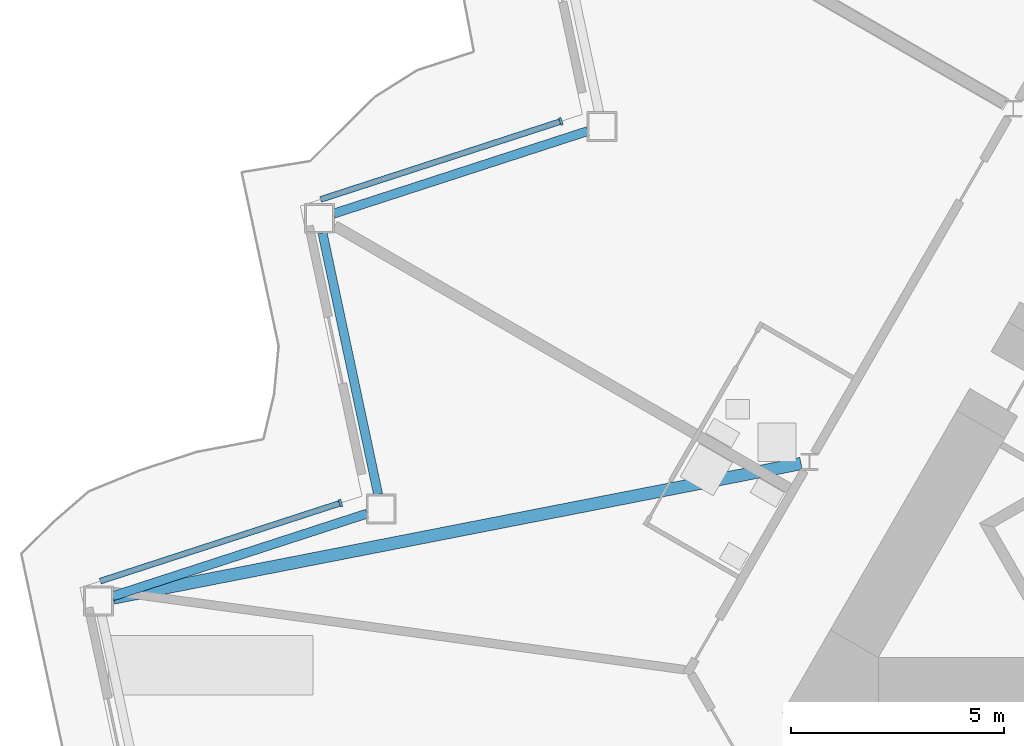
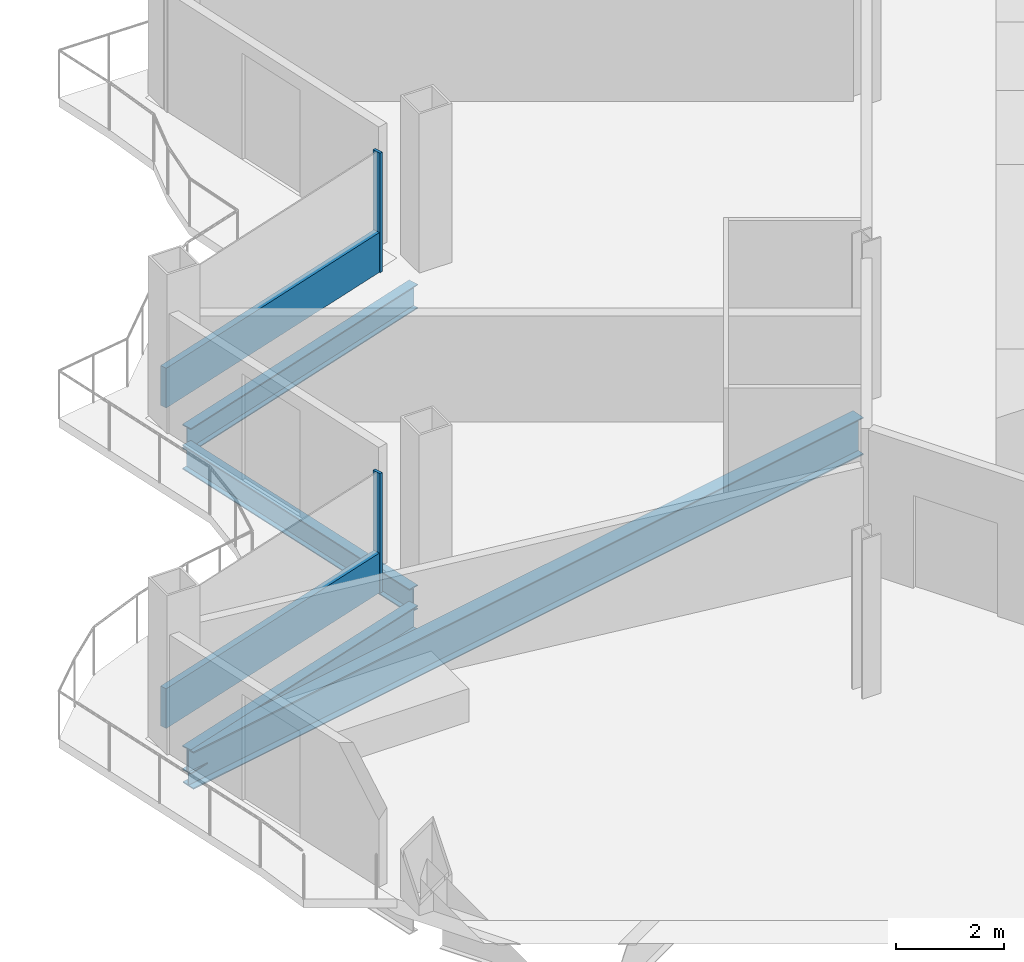
# One storey, part 5 of 23: 4 beams, 4 members, 2 elements without a shape of their own.
"""IFC4 building model written with IfcOpenShell, lengths in metres."""

from ifc_helpers import new_model, si_unit, direction, frame, origin, origin_2d, place, context, subcontext, project, spatial, rectangle, i_section, extrude, material, layer, layer_set, material_profile, profile_set, type_object, element, aggregate, save


model = new_model("IFC4")

# Units and contexts
model_context = context("Model", 3, precision=1e-05, world=origin(), true_north=direction((0.0, 1.0)))
body_context = subcontext(model_context, "Body", "Model", "MODEL_VIEW")
ifc_project = project(units=[si_unit("LENGTHUNIT", "METRE"), si_unit("AREAUNIT", "SQUARE_METRE"), si_unit("VOLUMEUNIT", "CUBIC_METRE"), si_unit("PLANEANGLEUNIT", "RADIAN"), si_unit("MASSUNIT", "GRAM", prefix="KILO")], contexts=[model_context])

# Site, building, storey
site_placement = place(None, origin())
site = spatial("IfcSite", under=ifc_project, at=site_placement, CompositionType="ELEMENT")
building_placement = place(site_placement, origin())
building = spatial("IfcBuilding", under=site, at=building_placement, Name="Cormorant Prow Tower", CompositionType="ELEMENT")
storey_placement = place(building_placement, frame((0.0, 0.0, 241.800048828125)))
storey = spatial("IfcBuildingStorey", under=building, at=storey_placement, Name="L53", CompositionType="ELEMENT", Elevation=241.800048828125)

# Curtain wall, member
ifc_material_1 = material(Name="Aluminium 6063-T6", Category="aluminium")
ifc_layer = layer(ifc_material_1, 0.179931640625)
ifc_layer_set = layer_set([ifc_layer], Name="Aluminium 6063-T6")
curtain_wall_type = type_object("IfcCurtainWallType", Name="Hotel unitised curtain wall 180", PredefinedType="NOTDEFINED", material=ifc_layer_set)
curtain_wall_1_placement = place(storey_placement, origin())
curtain_wall_1 = element("IfcCurtainWall", 1, at=curtain_wall_1_placement, inside=storey, type_object=curtain_wall_type, Name="Hotel curtain wall WNW06", PredefinedType="NOTDEFINED")
ifc_material_2 = material(Name="Aluminium 6063-T6", Category="aluminium")
ifc_material_profile_1 = material_profile(ifc_material_2, rectangle(XDim=0.179931640625, YDim=0.06005859375, at=origin_2d()), Name="Hotel mullion 60x180")
ifc_profile_set_1 = profile_set([ifc_material_profile_1], Name="Aluminium 6063-T6")
member_type_1 = type_object("IfcMemberType", Name="Hotel mullion 60x180", PredefinedType="MULLION", material=ifc_profile_set_1)
member_1_placement = place(storey_placement, frame((-20.203857421875, 5.232666015625, 0.0), z_axis=(0.0, 0.0, 1.0), x_axis=(0.309017031391, -0.951056504268, 0.0)))
member_1 = element("IfcMember", 2, at=member_1_placement, type_object=member_type_1, Name="Hotel mullion WNW06", PredefinedType="MULLION", context=body_context, shape_type="SweptSolid", body=[
    extrude(rectangle(XDim=0.179931640625, YDim=0.06005859375, at=origin_2d()), origin(), (0.0, 0.0, 1.0), 2.700927734375),
])

curtain_wall_2_placement = place(storey_placement, origin())
curtain_wall_2 = element("IfcCurtainWall", 3, at=curtain_wall_2_placement, inside=storey, type_object=curtain_wall_type, Name="Hotel curtain wall WNW08", PredefinedType="NOTDEFINED")
member_2_placement = place(storey_placement, frame((-25.379638671875, -3.73193359375, 0.0), z_axis=(0.0, 0.0, 1.0), x_axis=(0.30901690152, -0.951056546466, 0.0)))
member_2 = element("IfcMember", 4, at=member_2_placement, type_object=member_type_1, Name="Hotel mullion WNW08", PredefinedType="MULLION", context=body_context, shape_type="SweptSolid", body=[
    extrude(rectangle(XDim=0.179931640625, YDim=0.06005859375, at=origin_2d()), origin(), (0.0, 0.0, 1.0), 2.700927734375),
])

# Member
ifc_material_3 = material(Name="Terracotta", Category="masonry")
ifc_material_profile_2 = material_profile(ifc_material_3, rectangle(XDim=0.139892578125, YDim=0.89990234375, at=origin_2d()), Name="Hotel terracotta spandrel rail 140x900")
ifc_profile_set_2 = profile_set([ifc_material_profile_2], Name="Terracotta")
member_type_2 = type_object("IfcMemberType", Name="Hotel terracotta spandrel rail 140x900", PredefinedType="USERDEFINED", material=ifc_profile_set_2)
member_3_placement = place(storey_placement, frame((-20.232421875, 5.223388671875, 0.449951171875), z_axis=(-0.9510589899, -0.309009381297, 0.0), x_axis=(0.309009381297, -0.9510589899, 0.0)))
member_3 = element("IfcMember", 5, at=member_3_placement, type_object=member_type_2, Name="Hotel spandrel rail WNW06", ObjectType="TRANSOM", PredefinedType="USERDEFINED", context=body_context, shape_type="SweptSolid", body=[
    extrude(rectangle(XDim=0.139892578125, YDim=0.89990234375, at=origin_2d()), origin(), (0.0, 0.0, 1.0), 5.902587890625),
])

aggregate(curtain_wall_1, [member_1, member_3])

member_4_placement = place(storey_placement, frame((-25.408203125, -3.7412109375, 0.449951171875), z_axis=(-0.9510589899, -0.309009381297, 0.0), x_axis=(0.309009381297, -0.9510589899, 0.0)))
member_4 = element("IfcMember", 6, at=member_4_placement, type_object=member_type_2, Name="Hotel spandrel rail WNW08", ObjectType="TRANSOM", PredefinedType="USERDEFINED", context=body_context, shape_type="SweptSolid", body=[
    extrude(rectangle(XDim=0.139892578125, YDim=0.89990234375, at=origin_2d()), origin(), (0.0, 0.0, 1.0), 5.902587890625),
])

aggregate(curtain_wall_2, [member_2, member_4])

# Beams
ifc_material_4 = material(Name="Structural steel ASTM A992 Gr 50", Category="steel")
ifc_material_profile_3 = material_profile(ifc_material_4, i_section(OverallWidth=0.29296875, OverallDepth=0.845703125, WebThickness=0.015380859375, FlangeThickness=0.0244140625, at=origin_2d()), Name="W33x141")
ifc_profile_set_3 = profile_set([ifc_material_profile_3], Name="Structural steel ASTM A992 Gr 50")
beam_type_1 = type_object("IfcBeamType", Name="Radial floor beam W33x141", PredefinedType="BEAM", material=ifc_profile_set_3)
beam_placement = place(storey_placement, frame((-14.5634765625, -2.80322265625, -0.77294921875), z_axis=(-0.981419133752, -0.191876220269, 0.0), x_axis=(0.191876220269, -0.981419133752, 0.0)))
element("IfcBeam", 7, at=beam_placement, inside=storey, type_object=beam_type_1, Name="Radial floor beam FB2 4 L53", PredefinedType="BEAM", context=body_context, shape_type="SweptSolid", body=[
    extrude(i_section(OverallWidth=0.29296875, OverallDepth=0.845703125, WebThickness=0.015380859375, FlangeThickness=0.0244140625, at=origin_2d()), origin(), (0.0, 0.0, 1.0), 16.462158203125),
])
ifc_material_5 = material(Name="Structural steel ASTM A992 Gr 50", Category="steel")
ifc_material_profile_4 = material_profile(ifc_material_5, i_section(OverallWidth=0.2138671875, OverallDepth=0.549072265625, WebThickness=0.0146484375, FlangeThickness=0.023681640625, at=origin_2d()), Name="W21x93")
ifc_profile_set_4 = profile_set([ifc_material_profile_4], Name="Structural steel ASTM A992 Gr 50")
beam_type_2 = type_object("IfcBeamType", Name="Spandrel beam W21x93", PredefinedType="SPANDREL", material=ifc_profile_set_4)
for number, where, z_axis, x_axis, name in (
    (8, (-19.568115234375, 5.00634765625, -0.62451171875), (-0.951061771288, -0.309000820701, 0.0), (0.309000820701, -0.951061771288, 0.0), "Spandrel beam SB2 WNW06-WNW07 L53"),
    (9, (-25.80224609375, 2.61474609375, -0.62451171875), (0.207941499013, -0.978141264331, 0.0), (0.978141264331, 0.207941499013, 0.0), "Spandrel beam SB2 WNW07-WNW08 L53"),
    (10, (-24.75634765625, -3.97998046875, -0.62451171875), (-0.951061771288, -0.309000820701, 0.0), (0.309000820701, -0.951061771288, 0.0), "Spandrel beam SB2 WNW08-WNW09 L53"),
):
    element("IfcBeam", number, at=place(storey_placement, frame(where, z_axis=z_axis, x_axis=x_axis)), inside=storey, type_object=beam_type_2, Name=name, PredefinedType="SPANDREL", context=body_context, shape_type="SweptSolid", body=[
        extrude(i_section(OverallWidth=0.2138671875, OverallDepth=0.549072265625, WebThickness=0.0146484375, FlangeThickness=0.023681640625, at=origin_2d()), origin(), (0.0, 0.0, 1.0), 6.28125),
    ])

save(model, "model.ifc")
